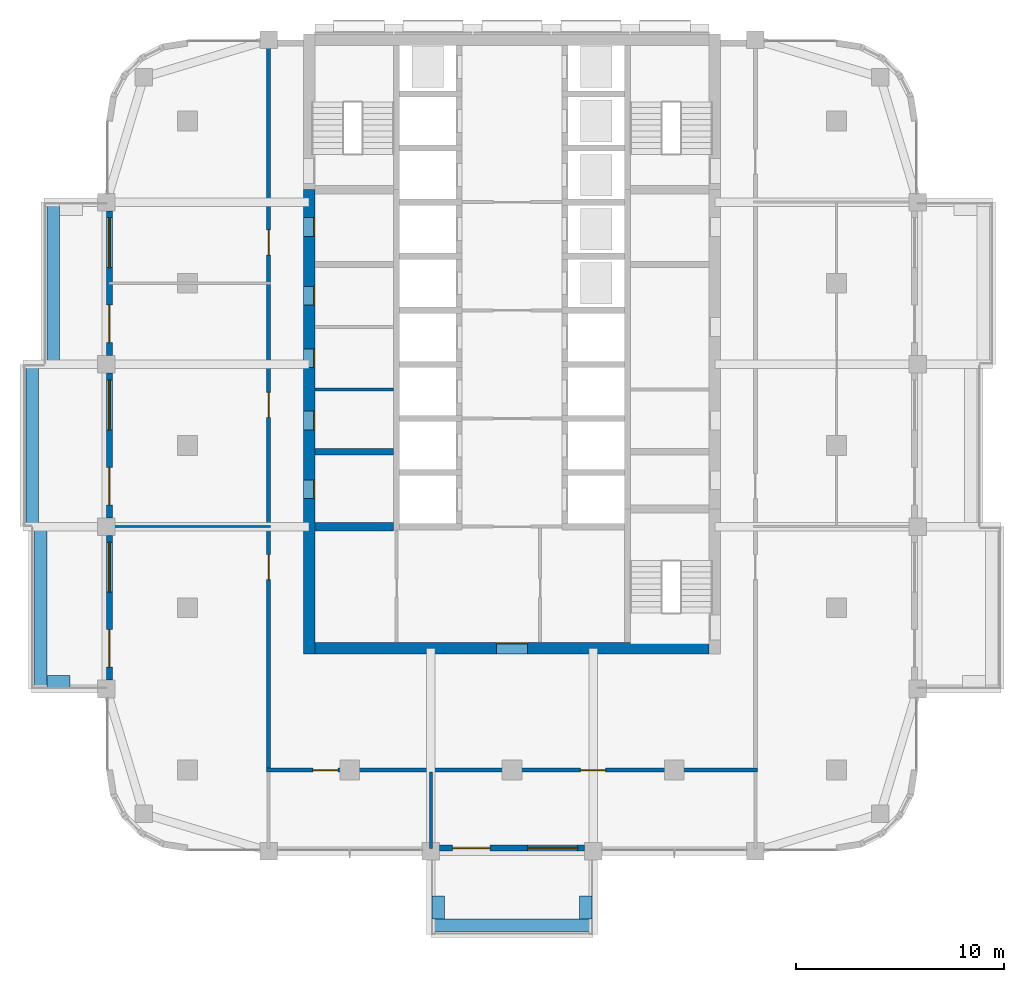
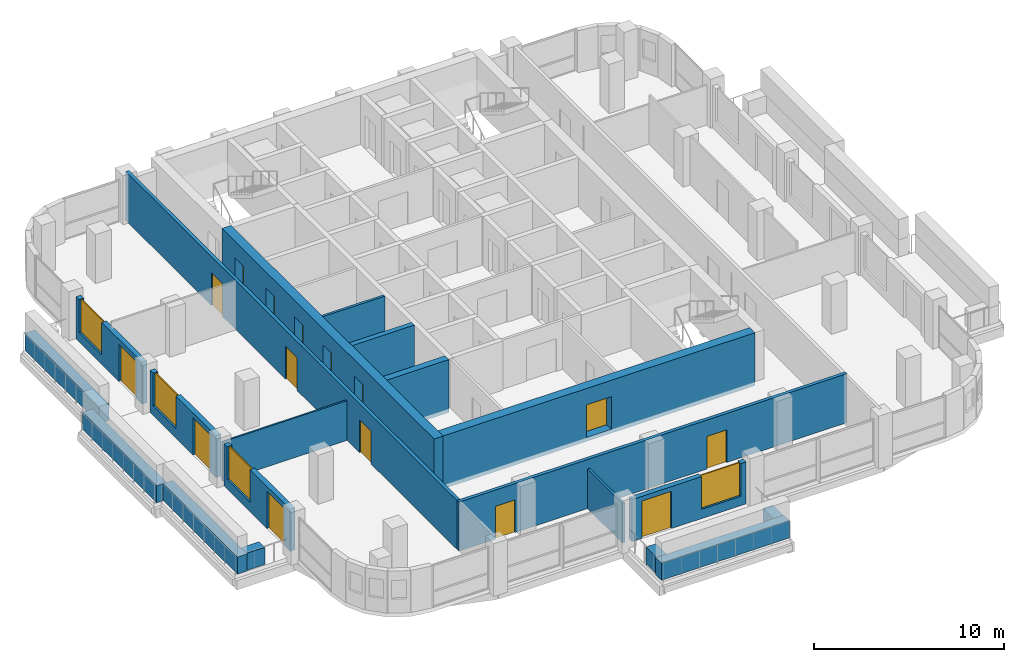
# One storey, part 10 of 19: 20 walls, 15 doors, 4 windows, 19 openings.
"""IFC4 building model written with IfcOpenShell, lengths in metres."""

from ifc_helpers import new_model, si_unit, direction, frame, frame_2d, origin, place, context, subcontext, project, spatial, rectangle, extrude, material, layer, layer_set, type_object, element, fill, save


model = new_model("IFC4")

# Units and contexts
model_context = context("Model", 3, precision=1e-05, world=origin(), true_north=direction((0.0, 1.0)))
body_context = subcontext(model_context, "Body", "Model", "MODEL_VIEW")
ifc_project = project(units=[si_unit("LENGTHUNIT", "METRE"), si_unit("AREAUNIT", "SQUARE_METRE"), si_unit("VOLUMEUNIT", "CUBIC_METRE"), si_unit("PLANEANGLEUNIT", "RADIAN"), si_unit("MASSUNIT", "GRAM", prefix="KILO")], contexts=[model_context])

# Site, building, storey
site_placement = place(None, origin())
site = spatial("IfcSite", under=ifc_project, at=site_placement, CompositionType="ELEMENT")
building_placement = place(site_placement, origin())
building = spatial("IfcBuilding", under=site, at=building_placement, Name="Ludao Terraces", CompositionType="ELEMENT")
storey_placement = place(building_placement, frame((0.0, 0.0, 133.89990234375)))
storey = spatial("IfcBuildingStorey", under=building, at=storey_placement, Name="L36", CompositionType="ELEMENT", Elevation=133.89990234375)

# Wall, openings, doors
ifc_material_1 = material(Name="Concrete C60", Category="concrete")
ifc_layer_1 = layer(ifc_material_1, 0.550048828125)
ifc_layer_set_1 = layer_set([ifc_layer_1], Name="Core wall 550 C60")
wall_type_1 = type_object("IfcWallType", Name="Core wall 550 C60", PredefinedType="SOLIDWALL", material=ifc_layer_set_1)
wall_1_placement = place(storey_placement, frame((75.25, 54.97509765625, -0.25), z_axis=(0.0, 0.0, 1.0), x_axis=(0.0, 1.0, 0.0)))
wall_1 = element("IfcWall", 1, at=wall_1_placement, inside=storey, type_object=wall_type_1, Name="Core wall L36 outer-W", PredefinedType="SOLIDWALL", context=body_context, shape_type="SweptSolid", body=[
    extrude(rectangle(XDim=22.324951171875, YDim=0.550048828125, at=frame_2d((11.16259765625, 0.0))), origin(), (0.0, 0.0, 1.0), 3.400146484375),
])
opening_1_placement = place(wall_1_placement, frame((7.47509765625, 0.0, 0.25)))
opening_1 = element("IfcOpeningElement", 2, at=opening_1_placement, cuts=wall_1, Name="Opening C2-012", PredefinedType="OPENING", context=body_context, shape_type="SweptSolid", body=[
    extrude(rectangle(XDim=0.89990234375, YDim=2.10009765625, at=frame_2d((0.449951171875, 1.050048828125))), frame((0.0, 0.28515625, 0.0), z_axis=(0.0, -1.0, 0.0), x_axis=(1.0, 0.0, 0.0)), (0.0, 0.0, 1.0), 0.570068359375),
])
opening_2_placement = place(wall_1_placement, frame((10.77490234375, 0.0, 0.25)))
opening_2 = element("IfcOpeningElement", 3, at=opening_2_placement, cuts=wall_1, Name="Opening C2-017", PredefinedType="OPENING", context=body_context, shape_type="SweptSolid", body=[
    extrude(rectangle(XDim=0.89990234375, YDim=2.10009765625, at=frame_2d((0.449951171875, 1.050048828125))), frame((0.0, 0.28515625, 0.0), z_axis=(0.0, -1.0, 0.0), x_axis=(1.0, 0.0, 0.0)), (0.0, 0.0, 1.0), 0.570068359375),
])
opening_3_placement = place(wall_1_placement, frame((13.77490234375, 0.0, 0.25)))
opening_3 = element("IfcOpeningElement", 4, at=opening_3_placement, cuts=wall_1, Name="Opening C2-024", PredefinedType="OPENING", context=body_context, shape_type="SweptSolid", body=[
    extrude(rectangle(XDim=0.89990234375, YDim=2.10009765625, at=frame_2d((0.449951171875, 1.050048828125))), frame((0.0, 0.28515625, 0.0), z_axis=(0.0, -1.0, 0.0), x_axis=(1.0, 0.0, 0.0)), (0.0, 0.0, 1.0), 0.570068359375),
])
opening_4_placement = place(wall_1_placement, frame((16.77490234375, 0.0, 0.25)))
opening_4 = element("IfcOpeningElement", 5, at=opening_4_placement, cuts=wall_1, Name="Opening C2-029", PredefinedType="OPENING", context=body_context, shape_type="SweptSolid", body=[
    extrude(rectangle(XDim=0.89990234375, YDim=2.10009765625, at=frame_2d((0.449951171875, 1.050048828125))), frame((0.0, 0.28515625, 0.0), z_axis=(0.0, -1.0, 0.0), x_axis=(1.0, 0.0, 0.0)), (0.0, 0.0, 1.0), 0.570068359375),
])
opening_5_placement = place(wall_1_placement, frame((20.074951171875, 0.0, 0.25)))
opening_5 = element("IfcOpeningElement", 6, at=opening_5_placement, cuts=wall_1, Name="Opening C2-035", PredefinedType="OPENING", context=body_context, shape_type="SweptSolid", body=[
    extrude(rectangle(XDim=0.89990234375, YDim=2.10009765625, at=frame_2d((0.449951171875, 1.050048828125))), frame((0.0, 0.28515625, 0.0), z_axis=(0.0, -1.0, 0.0), x_axis=(1.0, 0.0, 0.0)), (0.0, 0.0, 1.0), 0.570068359375),
])
ifc_material_2 = material(Name="Steel Q235", Category="steel")
door_type_1 = type_object("IfcDoorType", Name="INT Riser door 900", OperationType="SINGLE_SWING_LEFT", PredefinedType="DOOR", material=ifc_material_2)
door_1_placement = place(opening_1_placement, origin())
door_1 = element("IfcDoor", 7, at=door_1_placement, inside=storey, type_object=door_type_1, Name="DOOR 012", OperationType="SINGLE_SWING_RIGHT", OverallHeight=2.10009765625, OverallWidth=0.89990234375, PredefinedType="DOOR", context=body_context, shape_type="SweptSolid", body=[
    extrude(rectangle(XDim=0.89990234375, YDim=2.10009765625, at=frame_2d((0.449951171875, 1.050048828125))), frame((0.0, -0.2099609375, 0.0), z_axis=(0.0, -1.0, 0.0), x_axis=(1.0, 0.0, 0.0)), (0.0, 0.0, 1.0), 0.050048828125),
])
fill(opening_1, door_1)
door_2_placement = place(opening_5_placement, origin())
door_2 = element("IfcDoor", 8, at=door_2_placement, inside=storey, type_object=door_type_1, Name="DOOR 035", OperationType="SINGLE_SWING_RIGHT", OverallHeight=2.10009765625, OverallWidth=0.89990234375, PredefinedType="DOOR", context=body_context, shape_type="SweptSolid", body=[
    extrude(rectangle(XDim=0.89990234375, YDim=2.10009765625, at=frame_2d((0.449951171875, 1.050048828125))), frame((0.0, -0.2099609375, 0.0), z_axis=(0.0, -1.0, 0.0), x_axis=(1.0, 0.0, 0.0)), (0.0, 0.0, 1.0), 0.050048828125),
])
fill(opening_5, door_2)
ifc_material_3 = material(Name="Timber door leaf", Category="wood")
door_type_2 = type_object("IfcDoorType", Name="INT Room door 900", OperationType="SINGLE_SWING_LEFT", PredefinedType="DOOR", material=ifc_material_3)
door_3_placement = place(opening_2_placement, origin())
door_3 = element("IfcDoor", 9, at=door_3_placement, inside=storey, type_object=door_type_2, Name="DOOR 017", OperationType="SINGLE_SWING_RIGHT", OverallHeight=2.10009765625, OverallWidth=0.89990234375, PredefinedType="DOOR", context=body_context, shape_type="SweptSolid", body=[
    extrude(rectangle(XDim=0.89990234375, YDim=2.10009765625, at=frame_2d((0.449951171875, 1.050048828125))), frame((0.0, -0.2099609375, 0.0), z_axis=(0.0, -1.0, 0.0), x_axis=(1.0, 0.0, 0.0)), (0.0, 0.0, 1.0), 0.050048828125),
])
fill(opening_2, door_3)
door_4_placement = place(opening_3_placement, origin())
door_4 = element("IfcDoor", 10, at=door_4_placement, inside=storey, type_object=door_type_2, Name="DOOR 024", OperationType="SINGLE_SWING_RIGHT", OverallHeight=2.10009765625, OverallWidth=0.89990234375, PredefinedType="DOOR", context=body_context, shape_type="SweptSolid", body=[
    extrude(rectangle(XDim=0.89990234375, YDim=2.10009765625, at=frame_2d((0.449951171875, 1.050048828125))), frame((0.0, -0.2099609375, 0.0), z_axis=(0.0, -1.0, 0.0), x_axis=(1.0, 0.0, 0.0)), (0.0, 0.0, 1.0), 0.050048828125),
])
fill(opening_3, door_4)
door_5_placement = place(opening_4_placement, origin())
door_5 = element("IfcDoor", 11, at=door_5_placement, inside=storey, type_object=door_type_2, Name="DOOR 029", OperationType="SINGLE_SWING_LEFT", OverallHeight=2.10009765625, OverallWidth=0.89990234375, PredefinedType="DOOR", context=body_context, shape_type="SweptSolid", body=[
    extrude(rectangle(XDim=0.89990234375, YDim=2.10009765625, at=frame_2d((0.449951171875, 1.050048828125))), frame((0.0, -0.2099609375, 0.0), z_axis=(0.0, -1.0, 0.0), x_axis=(1.0, 0.0, 0.0)), (0.0, 0.0, 1.0), 0.050048828125),
])
fill(opening_4, door_5)

# Wall, opening, door
wall_2_placement = place(storey_placement, frame((75.52490234375, 55.25, -0.25), z_axis=(0.0, 0.0, 1.0), x_axis=(1.0, 0.0, 0.0)))
wall_2 = element("IfcWall", 12, at=wall_2_placement, inside=storey, type_object=wall_type_1, Name="Core wall L36 outer-S", PredefinedType="SOLIDWALL", context=body_context, shape_type="SweptSolid", body=[
    extrude(rectangle(XDim=18.9501953125, YDim=0.550048828125, at=frame_2d((9.47509765625, 0.0))), origin(), (0.0, 0.0, 1.0), 3.400146484375),
])
opening_6_placement = place(wall_2_placement, frame((8.72509765625, 0.0, 0.25)))
opening_6 = element("IfcOpeningElement", 13, at=opening_6_placement, cuts=wall_2, Name="Opening C2-003", PredefinedType="OPENING", context=body_context, shape_type="SweptSolid", body=[
    extrude(rectangle(XDim=1.5, YDim=2.10009765625, at=frame_2d((0.75, 1.050048828125))), frame((0.0, 0.28515625, 0.0), z_axis=(0.0, -1.0, 0.0), x_axis=(1.0, 0.0, 0.0)), (0.0, 0.0, 1.0), 0.570068359375),
])
door_type_3 = type_object("IfcDoorType", Name="INT Lobby door 1500", OperationType="DOUBLE_DOOR_SINGLE_SWING", PredefinedType="DOOR", material=ifc_material_2)
door_6_placement = place(opening_6_placement, origin())
door_6 = element("IfcDoor", 14, at=door_6_placement, inside=storey, type_object=door_type_3, Name="DOOR 003", OperationType="DOUBLE_DOOR_SINGLE_SWING", OverallHeight=2.10009765625, OverallWidth=1.5, PredefinedType="DOOR", context=body_context, shape_type="SweptSolid", body=[
    extrude(rectangle(XDim=1.5, YDim=2.10009765625, at=frame_2d((0.75, 1.050048828125))), frame((0.0, 0.26025390625, 0.0), z_axis=(0.0, -1.0, 0.0), x_axis=(1.0, 0.0, 0.0)), (0.0, 0.0, 1.0), 0.050048828125),
])
fill(opening_6, door_6)

# Walls
ifc_material_4 = material(Name="Concrete C40", Category="concrete")
ifc_layer_2 = layer(ifc_material_4, 0.60009765625)
ifc_layer_set_2 = layer_set([ifc_layer_2], Name="ENV Planter trough 600")
wall_type_2 = type_object("IfcWallType", Name="ENV Planter trough 600", PredefinedType="USERDEFINED", material=ifc_layer_set_2)
wall_3_placement = place(storey_placement, frame((81.10009765625, 41.949951171875, 0.0), z_axis=(0.0, 0.0, 1.0), x_axis=(1.0, 0.0, 0.0)))
element("IfcWall", 15, at=wall_3_placement, inside=storey, type_object=wall_type_2, Name="PL-L36-S1", ObjectType="PLANTER", PredefinedType="USERDEFINED", context=body_context, shape_type="SweptSolid", body=[
    extrude(rectangle(XDim=7.7998046875, YDim=0.60009765625, at=frame_2d((3.89990234375, 0.0))), origin(), (0.0, 0.0, 1.0), 1.10009765625),
])
for number, where, z_axis, x_axis, name in (
    (16, (81.449951171875, 42.25, 0.0), (0.0, 0.0, 1.0), (0.0, 1.0, 0.0), "PL-L36-S1-SA"),
    (17, (88.550048828125, 42.25, 0.0), (0.0, 0.0, 1.0), (0.0, 1.0, 0.0), "PL-L36-S1-SB"),
):
    element("IfcWall", number, at=place(storey_placement, frame(where, z_axis=z_axis, x_axis=x_axis)), inside=storey, type_object=wall_type_2, Name=name, ObjectType="PLANTER", PredefinedType="USERDEFINED", context=body_context, shape_type="SweptSolid", body=[
        extrude(rectangle(XDim=1.10009765625, YDim=0.60009765625, at=frame_2d((0.550048828125, 0.0))), origin(), (0.0, 0.0, 1.0), 1.10009765625),
    ])
wall_4_placement = place(storey_placement, frame((62.35009765625, 53.300048828125, 0.0), z_axis=(0.0, 0.0, 1.0), x_axis=(0.0, 1.0, 0.0)))
element("IfcWall", 18, at=wall_4_placement, inside=storey, type_object=wall_type_2, Name="PL-L36-W1", ObjectType="PLANTER", PredefinedType="USERDEFINED", context=body_context, shape_type="SweptSolid", body=[
    extrude(rectangle(XDim=7.800048828125, YDim=0.60009765625, at=frame_2d((3.89990234375, 0.0))), origin(), (0.0, 0.0, 1.0), 1.10009765625),
])
wall_5_placement = place(storey_placement, frame((62.64990234375, 53.64990234375, 0.0), z_axis=(0.0, 0.0, 1.0), x_axis=(1.0, 0.0, 0.0)))
element("IfcWall", 19, at=wall_5_placement, inside=storey, type_object=wall_type_2, Name="PL-L36-W1-SA", ObjectType="PLANTER", PredefinedType="USERDEFINED", context=body_context, shape_type="SweptSolid", body=[
    extrude(rectangle(XDim=1.10009765625, YDim=0.60009765625, at=frame_2d((0.550048828125, 0.0))), origin(), (0.0, 0.0, 1.0), 1.10009765625),
])
wall_6_placement = place(storey_placement, frame((61.949951171875, 61.10009765625, 0.0), z_axis=(0.0, 0.0, 1.0), x_axis=(0.0, 1.0, 0.0)))
element("IfcWall", 20, at=wall_6_placement, inside=storey, type_object=wall_type_2, Name="PL-L36-W2", ObjectType="PLANTER", PredefinedType="USERDEFINED", context=body_context, shape_type="SweptSolid", body=[
    extrude(rectangle(XDim=7.7998046875, YDim=0.60009765625, at=frame_2d((3.89990234375, 0.0))), origin(), (0.0, 0.0, 1.0), 1.10009765625),
])
wall_7_placement = place(storey_placement, frame((62.949951171875, 68.89990234375, 0.0), z_axis=(0.0, 0.0, 1.0), x_axis=(0.0, 1.0, 0.0)))
element("IfcWall", 21, at=wall_7_placement, inside=storey, type_object=wall_type_2, Name="PL-L36-W3", ObjectType="PLANTER", PredefinedType="USERDEFINED", context=body_context, shape_type="SweptSolid", body=[
    extrude(rectangle(XDim=7.800048828125, YDim=0.60009765625, at=frame_2d((3.89990234375, 0.0))), origin(), (0.0, 0.0, 1.0), 1.10009765625),
])

# Wall, openings, door, window
ifc_material_5 = material(Name="Granite cladding", Category="masonry")
ifc_layer_3 = layer(ifc_material_5, 0.0400390625, Category="stone")
ifc_material_6 = material(Name="Mineral wool")
ifc_layer_4 = layer(ifc_material_6, 0.06005859375)
ifc_layer_5 = layer(ifc_material_4, 0.199951171875, Category="concrete")
ifc_layer_set_3 = layer_set([ifc_layer_3, ifc_layer_4, ifc_layer_5], Name="ENV Stone-clad wall 300")
wall_type_3 = type_object("IfcWallType", Name="ENV Stone-clad wall 300", PredefinedType="SOLIDWALL", material=ifc_layer_set_3)
wall_8_placement = place(storey_placement, frame((81.52490234375, 45.64990234375, 0.0), z_axis=(0.0, 0.0, 1.0), x_axis=(1.0, 0.0, 0.0)))
wall_8 = element("IfcWall", 22, at=wall_8_placement, inside=storey, type_object=wall_type_3, Name="EW-L36-S3", PredefinedType="SOLIDWALL", context=body_context, shape_type="SweptSolid", body=[
    extrude(rectangle(XDim=6.9501953125, YDim=0.300048828125, at=frame_2d((3.47509765625, 0.0))), origin(), (0.0, 0.0, 1.0), 2.7001953125),
])
opening_7_placement = place(wall_8_placement, frame((0.625, 0.0, 0.0)))
opening_7 = element("IfcOpeningElement", 23, at=opening_7_placement, cuts=wall_8, Name="Opening BD", PredefinedType="OPENING", context=body_context, shape_type="SweptSolid", body=[
    extrude(rectangle(XDim=1.800048828125, YDim=2.39990234375, at=frame_2d((0.89990234375, 1.199951171875))), frame((0.0, 0.16015625, 0.0), z_axis=(0.0, -1.0, 0.0), x_axis=(1.0, 0.0, 0.0)), (0.0, 0.0, 1.0), 0.320068359375),
])
opening_8_placement = place(wall_8_placement, frame((4.22509765625, 0.0, 0.60009765625)))
opening_8 = element("IfcOpeningElement", 24, at=opening_8_placement, cuts=wall_8, Name="Opening W4", PredefinedType="OPENING", context=body_context, shape_type="SweptSolid", body=[
    extrude(rectangle(XDim=2.39990234375, YDim=2.10009765625, at=frame_2d((1.199951171875, 1.050048828125))), frame((0.0, 0.16015625, 0.0), z_axis=(0.0, -1.0, 0.0), x_axis=(1.0, 0.0, 0.0)), (0.0, 0.0, 1.0), 0.320068359375),
])
ifc_material_7 = material(Name="Aluminium glazed door", Category="aluminium")
ifc_layer_6 = layer(ifc_material_7, 0.06005859375)
ifc_layer_set_4 = layer_set([ifc_layer_6], Name="ENV Balcony door BD 1800x2400")
door_type_4 = type_object("IfcDoorType", Name="ENV Balcony door BD 1800x2400", OperationType="DOUBLE_DOOR_SINGLE_SWING", PredefinedType="DOOR", material=ifc_layer_set_4)
door_7_placement = place(opening_7_placement, origin())
door_7 = element("IfcDoor", 25, at=door_7_placement, inside=storey, type_object=door_type_4, Name="BD-L36-S3-1", OperationType="DOUBLE_DOOR_SINGLE_SWING", OverallHeight=2.39990234375, OverallWidth=1.800048828125, PredefinedType="DOOR", context=body_context, shape_type="SweptSolid", body=[
    extrude(rectangle(XDim=1.800048828125, YDim=2.39990234375, at=frame_2d((0.89990234375, 1.199951171875))), frame((0.0, 0.02490234375, 0.0), z_axis=(0.0, -1.0, 0.0), x_axis=(1.0, 0.0, 0.0)), (0.0, 0.0, 1.0), 0.050048828125),
])
fill(opening_7, door_7)
ifc_material_8 = material(Name="Clear glass in aluminium frame", Category="aluminium")
ifc_layer_7 = layer(ifc_material_8, 0.06005859375)
ifc_layer_set_5 = layer_set([ifc_layer_7], Name="ENV Window W4 2400x2100")
window_type = type_object("IfcWindowType", Name="ENV Window W4 2400x2100", PartitioningType="SINGLE_PANEL", PredefinedType="WINDOW", material=ifc_layer_set_5)
window_1_placement = place(opening_8_placement, origin())
window_1 = element("IfcWindow", 26, at=window_1_placement, inside=storey, type_object=window_type, Name="W-L36-S3-2", OverallHeight=2.10009765625, OverallWidth=2.39990234375, PartitioningType="SINGLE_PANEL", PredefinedType="WINDOW", context=body_context, shape_type="SweptSolid", body=[
    extrude(rectangle(XDim=2.39990234375, YDim=2.10009765625, at=frame_2d((1.199951171875, 1.050048828125))), frame((0.0, 0.030029296875, 0.0), z_axis=(0.0, -1.0, 0.0), x_axis=(1.0, 0.0, 0.0)), (0.0, 0.0, 1.0), 0.06005859375),
])
fill(opening_8, window_1)

wall_9_placement = place(storey_placement, frame((65.64990234375, 53.72509765625, 0.0), z_axis=(0.0, 0.0, 1.0), x_axis=(0.0, 1.0, 0.0)))
wall_9 = element("IfcWall", 27, at=wall_9_placement, inside=storey, type_object=wall_type_3, Name="EW-L36-W2", PredefinedType="SOLIDWALL", context=body_context, shape_type="SweptSolid", body=[
    extrude(rectangle(XDim=6.949951171875, YDim=0.300048828125, at=frame_2d((3.47509765625, 0.0))), origin(), (0.0, 0.0, 1.0), 2.7001953125),
])
opening_9_placement = place(wall_9_placement, frame((0.625, 0.0, 0.0)))
opening_9 = element("IfcOpeningElement", 28, at=opening_9_placement, cuts=wall_9, Name="Opening BD", PredefinedType="OPENING", context=body_context, shape_type="SweptSolid", body=[
    extrude(rectangle(XDim=1.800048828125, YDim=2.39990234375, at=frame_2d((0.89990234375, 1.199951171875))), frame((0.0, 0.16015625, 0.0), z_axis=(0.0, -1.0, 0.0), x_axis=(1.0, 0.0, 0.0)), (0.0, 0.0, 1.0), 0.320068359375),
])
opening_10_placement = place(wall_9_placement, frame((4.22509765625, 0.0, 0.60009765625)))
opening_10 = element("IfcOpeningElement", 29, at=opening_10_placement, cuts=wall_9, Name="Opening W4", PredefinedType="OPENING", context=body_context, shape_type="SweptSolid", body=[
    extrude(rectangle(XDim=2.39990234375, YDim=2.10009765625, at=frame_2d((1.199951171875, 1.050048828125))), frame((0.0, 0.16015625, 0.0), z_axis=(0.0, -1.0, 0.0), x_axis=(1.0, 0.0, 0.0)), (0.0, 0.0, 1.0), 0.320068359375),
])
door_8_placement = place(opening_9_placement, origin())
door_8 = element("IfcDoor", 30, at=door_8_placement, inside=storey, type_object=door_type_4, Name="BD-L36-W2-1", OperationType="DOUBLE_DOOR_SINGLE_SWING", OverallHeight=2.39990234375, OverallWidth=1.800048828125, PredefinedType="DOOR", context=body_context, shape_type="SweptSolid", body=[
    extrude(rectangle(XDim=1.800048828125, YDim=2.39990234375, at=frame_2d((0.89990234375, 1.199951171875))), frame((0.0, 0.02490234375, 0.0), z_axis=(0.0, -1.0, 0.0), x_axis=(1.0, 0.0, 0.0)), (0.0, 0.0, 1.0), 0.050048828125),
])
fill(opening_9, door_8)
window_2_placement = place(opening_10_placement, origin())
window_2 = element("IfcWindow", 31, at=window_2_placement, inside=storey, type_object=window_type, Name="W-L36-W2-2", OverallHeight=2.10009765625, OverallWidth=2.39990234375, PartitioningType="SINGLE_PANEL", PredefinedType="WINDOW", context=body_context, shape_type="SweptSolid", body=[
    extrude(rectangle(XDim=2.39990234375, YDim=2.10009765625, at=frame_2d((1.199951171875, 1.050048828125))), frame((0.0, 0.030029296875, 0.0), z_axis=(0.0, -1.0, 0.0), x_axis=(1.0, 0.0, 0.0)), (0.0, 0.0, 1.0), 0.06005859375),
])
fill(opening_10, window_2)

wall_10_placement = place(storey_placement, frame((65.64990234375, 61.52490234375, 0.0), z_axis=(0.0, 0.0, 1.0), x_axis=(0.0, 1.0, 0.0)))
wall_10 = element("IfcWall", 32, at=wall_10_placement, inside=storey, type_object=wall_type_3, Name="EW-L36-W3", PredefinedType="SOLIDWALL", context=body_context, shape_type="SweptSolid", body=[
    extrude(rectangle(XDim=6.9501953125, YDim=0.300048828125, at=frame_2d((3.47509765625, 0.0))), origin(), (0.0, 0.0, 1.0), 2.7001953125),
])
opening_11_placement = place(wall_10_placement, frame((0.625, 0.0, 0.0)))
opening_11 = element("IfcOpeningElement", 33, at=opening_11_placement, cuts=wall_10, Name="Opening BD", PredefinedType="OPENING", context=body_context, shape_type="SweptSolid", body=[
    extrude(rectangle(XDim=1.800048828125, YDim=2.39990234375, at=frame_2d((0.89990234375, 1.199951171875))), frame((0.0, 0.16015625, 0.0), z_axis=(0.0, -1.0, 0.0), x_axis=(1.0, 0.0, 0.0)), (0.0, 0.0, 1.0), 0.320068359375),
])
opening_12_placement = place(wall_10_placement, frame((4.22509765625, 0.0, 0.60009765625)))
opening_12 = element("IfcOpeningElement", 34, at=opening_12_placement, cuts=wall_10, Name="Opening W4", PredefinedType="OPENING", context=body_context, shape_type="SweptSolid", body=[
    extrude(rectangle(XDim=2.39990234375, YDim=2.10009765625, at=frame_2d((1.199951171875, 1.050048828125))), frame((0.0, 0.16015625, 0.0), z_axis=(0.0, -1.0, 0.0), x_axis=(1.0, 0.0, 0.0)), (0.0, 0.0, 1.0), 0.320068359375),
])
door_9_placement = place(opening_11_placement, origin())
door_9 = element("IfcDoor", 35, at=door_9_placement, inside=storey, type_object=door_type_4, Name="BD-L36-W3-1", OperationType="DOUBLE_DOOR_SINGLE_SWING", OverallHeight=2.39990234375, OverallWidth=1.800048828125, PredefinedType="DOOR", context=body_context, shape_type="SweptSolid", body=[
    extrude(rectangle(XDim=1.800048828125, YDim=2.39990234375, at=frame_2d((0.89990234375, 1.199951171875))), frame((0.0, 0.02490234375, 0.0), z_axis=(0.0, -1.0, 0.0), x_axis=(1.0, 0.0, 0.0)), (0.0, 0.0, 1.0), 0.050048828125),
])
fill(opening_11, door_9)
window_3_placement = place(opening_12_placement, origin())
window_3 = element("IfcWindow", 36, at=window_3_placement, inside=storey, type_object=window_type, Name="W-L36-W3-2", OverallHeight=2.10009765625, OverallWidth=2.39990234375, PartitioningType="SINGLE_PANEL", PredefinedType="WINDOW", context=body_context, shape_type="SweptSolid", body=[
    extrude(rectangle(XDim=2.39990234375, YDim=2.10009765625, at=frame_2d((1.199951171875, 1.050048828125))), frame((0.0, 0.030029296875, 0.0), z_axis=(0.0, -1.0, 0.0), x_axis=(1.0, 0.0, 0.0)), (0.0, 0.0, 1.0), 0.06005859375),
])
fill(opening_12, window_3)

wall_11_placement = place(storey_placement, frame((65.64990234375, 69.324951171875, 0.0), z_axis=(0.0, 0.0, 1.0), x_axis=(0.0, 1.0, 0.0)))
wall_11 = element("IfcWall", 37, at=wall_11_placement, inside=storey, type_object=wall_type_3, Name="EW-L36-W4", PredefinedType="SOLIDWALL", context=body_context, shape_type="SweptSolid", body=[
    extrude(rectangle(XDim=6.949951171875, YDim=0.300048828125, at=frame_2d((3.47509765625, 0.0))), origin(), (0.0, 0.0, 1.0), 2.7001953125),
])
opening_13_placement = place(wall_11_placement, frame((0.625, 0.0, 0.0)))
opening_13 = element("IfcOpeningElement", 38, at=opening_13_placement, cuts=wall_11, Name="Opening BD", PredefinedType="OPENING", context=body_context, shape_type="SweptSolid", body=[
    extrude(rectangle(XDim=1.800048828125, YDim=2.39990234375, at=frame_2d((0.89990234375, 1.199951171875))), frame((0.0, 0.16015625, 0.0), z_axis=(0.0, -1.0, 0.0), x_axis=(1.0, 0.0, 0.0)), (0.0, 0.0, 1.0), 0.320068359375),
])
opening_14_placement = place(wall_11_placement, frame((4.22509765625, 0.0, 0.60009765625)))
opening_14 = element("IfcOpeningElement", 39, at=opening_14_placement, cuts=wall_11, Name="Opening W4", PredefinedType="OPENING", context=body_context, shape_type="SweptSolid", body=[
    extrude(rectangle(XDim=2.39990234375, YDim=2.10009765625, at=frame_2d((1.199951171875, 1.050048828125))), frame((0.0, 0.16015625, 0.0), z_axis=(0.0, -1.0, 0.0), x_axis=(1.0, 0.0, 0.0)), (0.0, 0.0, 1.0), 0.320068359375),
])
door_10_placement = place(opening_13_placement, origin())
door_10 = element("IfcDoor", 40, at=door_10_placement, inside=storey, type_object=door_type_4, Name="BD-L36-W4-1", OperationType="DOUBLE_DOOR_SINGLE_SWING", OverallHeight=2.39990234375, OverallWidth=1.800048828125, PredefinedType="DOOR", context=body_context, shape_type="SweptSolid", body=[
    extrude(rectangle(XDim=1.800048828125, YDim=2.39990234375, at=frame_2d((0.89990234375, 1.199951171875))), frame((0.0, 0.02490234375, 0.0), z_axis=(0.0, -1.0, 0.0), x_axis=(1.0, 0.0, 0.0)), (0.0, 0.0, 1.0), 0.050048828125),
])
fill(opening_13, door_10)
window_4_placement = place(opening_14_placement, origin())
window_4 = element("IfcWindow", 41, at=window_4_placement, inside=storey, type_object=window_type, Name="W-L36-W4-2", OverallHeight=2.10009765625, OverallWidth=2.39990234375, PartitioningType="SINGLE_PANEL", PredefinedType="WINDOW", context=body_context, shape_type="SweptSolid", body=[
    extrude(rectangle(XDim=2.39990234375, YDim=2.10009765625, at=frame_2d((1.199951171875, 1.050048828125))), frame((0.0, 0.030029296875, 0.0), z_axis=(0.0, -1.0, 0.0), x_axis=(1.0, 0.0, 0.0)), (0.0, 0.0, 1.0), 0.06005859375),
])
fill(opening_14, window_4)

# Wall
ifc_material_9 = material(Name="Fire-rated gypsum plasterboard", Category="gypsum")
ifc_layer_8 = layer(ifc_material_9, 0.012451171875, Category="gypsum")
ifc_layer_9 = layer(ifc_material_6, 0.10009765625, Name="insulation")
ifc_layer_10 = layer(ifc_material_2, 0.02490234375, Name="stud")
ifc_layer_11 = layer(ifc_material_9, 0.012451171875, Category="gypsum")
ifc_layer_set_6 = layer_set([ifc_layer_8, ifc_layer_9, ifc_layer_10, ifc_layer_11], Name="INT Core partition 150")
wall_type_4 = type_object("IfcWallType", Name="INT Core partition 150", PredefinedType="PARTITIONING", material=ifc_layer_set_6)
wall_12_placement = place(storey_placement, frame((75.525146484375, 67.699951171875, 0.0), z_axis=(0.0, 0.0, 1.0), x_axis=(1.0, 0.0, 0.0)))
element("IfcWall", 42, at=wall_12_placement, inside=storey, type_object=wall_type_4, Name="PW-L36-PW005", PredefinedType="PARTITIONING", context=body_context, shape_type="SweptSolid", body=[
    extrude(rectangle(XDim=3.77490234375, YDim=0.14990234375, at=frame_2d((1.887451171875, 0.0))), origin(), (0.0, 0.0, 1.0), 3.150146484375),
])

# Wall, openings, doors
ifc_material_10 = material(Name="Autoclaved aerated concrete block B06 A3.5", Category="concrete")
ifc_layer_12 = layer(ifc_material_10, 0.199951171875)
ifc_layer_set_7 = layer_set([ifc_layer_12], Name="INT Entrance wall 200")
wall_type_5 = type_object("IfcWallType", Name="INT Entrance wall 200", PredefinedType="PARTITIONING", material=ifc_layer_set_7)
wall_13_placement = place(storey_placement, frame((73.2001953125, 49.39990234375, 0.0), z_axis=(0.0, 0.0, 1.0), x_axis=(1.0, 0.0, 0.0)))
wall_13 = element("IfcWall", 43, at=wall_13_placement, inside=storey, type_object=wall_type_5, Name="PW-L36-PW000", PredefinedType="PARTITIONING", context=body_context, shape_type="SweptSolid", body=[
    extrude(rectangle(XDim=23.599853515625, YDim=0.199951171875, at=frame_2d((11.7998046875, 0.0))), origin(), (0.0, 0.0, 1.0), 3.150146484375),
])
opening_15_placement = place(wall_13_placement, frame((2.224853515625, 0.0, 0.0)))
opening_15 = element("IfcOpeningElement", 44, at=opening_15_placement, cuts=wall_13, Name="Opening C2-001", PredefinedType="OPENING", context=body_context, shape_type="SweptSolid", body=[
    extrude(rectangle(XDim=1.199951171875, YDim=2.10009765625, at=frame_2d((0.60009765625, 1.050048828125))), frame((0.0, 0.10986328125, 0.0), z_axis=(0.0, -1.0, 0.0), x_axis=(1.0, 0.0, 0.0)), (0.0, 0.0, 1.0), 0.219970703125),
])
opening_16_placement = place(wall_13_placement, frame((15.099853515625, 0.0, 0.0)))
opening_16 = element("IfcOpeningElement", 45, at=opening_16_placement, cuts=wall_13, Name="Opening C2-002", PredefinedType="OPENING", context=body_context, shape_type="SweptSolid", body=[
    extrude(rectangle(XDim=1.199951171875, YDim=2.10009765625, at=frame_2d((0.60009765625, 1.050048828125))), frame((0.0, 0.10986328125, 0.0), z_axis=(0.0, -1.0, 0.0), x_axis=(1.0, 0.0, 0.0)), (0.0, 0.0, 1.0), 0.219970703125),
])
door_type_5 = type_object("IfcDoorType", Name="INT Double door 1200", OperationType="DOUBLE_DOOR_SINGLE_SWING", PredefinedType="DOOR", material=ifc_material_3)
door_11_placement = place(opening_15_placement, origin())
door_11 = element("IfcDoor", 46, at=door_11_placement, inside=storey, type_object=door_type_5, Name="DOOR 001", OperationType="DOUBLE_DOOR_SINGLE_SWING", OverallHeight=2.10009765625, OverallWidth=1.199951171875, PredefinedType="DOOR", context=body_context, shape_type="SweptSolid", body=[
    extrude(rectangle(XDim=1.199951171875, YDim=2.10009765625, at=frame_2d((0.60009765625, 1.050048828125))), frame((0.0, 0.02490234375, 0.0), z_axis=(0.0, -1.0, 0.0), x_axis=(1.0, 0.0, 0.0)), (0.0, 0.0, 1.0), 0.050048828125),
])
fill(opening_15, door_11)
door_12_placement = place(opening_16_placement, origin())
door_12 = element("IfcDoor", 47, at=door_12_placement, inside=storey, type_object=door_type_5, Name="DOOR 002", OperationType="DOUBLE_DOOR_SINGLE_SWING", OverallHeight=2.10009765625, OverallWidth=1.199951171875, PredefinedType="DOOR", context=body_context, shape_type="SweptSolid", body=[
    extrude(rectangle(XDim=1.199951171875, YDim=2.10009765625, at=frame_2d((0.60009765625, 1.050048828125))), frame((0.0, 0.02490234375, 0.0), z_axis=(0.0, -1.0, 0.0), x_axis=(1.0, 0.0, 0.0)), (0.0, 0.0, 1.0), 0.050048828125),
])
fill(opening_16, door_12)

wall_14_placement = place(storey_placement, frame((73.300048828125, 49.5, 0.0), z_axis=(0.0, 0.0, 1.0), x_axis=(0.0, 1.0, 0.0)))
wall_14 = element("IfcWall", 48, at=wall_14_placement, inside=storey, type_object=wall_type_5, Name="PW-L36-PW013", PredefinedType="PARTITIONING", context=body_context, shape_type="SweptSolid", body=[
    extrude(rectangle(XDim=34.864990234375, YDim=0.199951171875, at=frame_2d((17.4326171875, 0.0))), origin(), (0.0, 0.0, 1.0), 3.150146484375),
])
opening_17_placement = place(wall_14_placement, frame((9.050048828125, 0.0, 0.0)))
opening_17 = element("IfcOpeningElement", 49, at=opening_17_placement, cuts=wall_14, Name="Opening C2-007", PredefinedType="OPENING", context=body_context, shape_type="SweptSolid", body=[
    extrude(rectangle(XDim=1.199951171875, YDim=2.10009765625, at=frame_2d((0.60009765625, 1.050048828125))), frame((0.0, 0.10986328125, 0.0), z_axis=(0.0, -1.0, 0.0), x_axis=(1.0, 0.0, 0.0)), (0.0, 0.0, 1.0), 0.219970703125),
])
opening_18_placement = place(wall_14_placement, frame((16.85009765625, 0.0, 0.0)))
opening_18 = element("IfcOpeningElement", 50, at=opening_18_placement, cuts=wall_14, Name="Opening C2-020", PredefinedType="OPENING", context=body_context, shape_type="SweptSolid", body=[
    extrude(rectangle(XDim=1.199951171875, YDim=2.10009765625, at=frame_2d((0.60009765625, 1.050048828125))), frame((0.0, 0.10986328125, 0.0), z_axis=(0.0, -1.0, 0.0), x_axis=(1.0, 0.0, 0.0)), (0.0, 0.0, 1.0), 0.219970703125),
])
opening_19_placement = place(wall_14_placement, frame((24.650146484375, 0.0, 0.0)))
opening_19 = element("IfcOpeningElement", 51, at=opening_19_placement, cuts=wall_14, Name="Opening C2-032", PredefinedType="OPENING", context=body_context, shape_type="SweptSolid", body=[
    extrude(rectangle(XDim=1.199951171875, YDim=2.10009765625, at=frame_2d((0.60009765625, 1.050048828125))), frame((0.0, 0.10986328125, 0.0), z_axis=(0.0, -1.0, 0.0), x_axis=(1.0, 0.0, 0.0)), (0.0, 0.0, 1.0), 0.219970703125),
])
door_13_placement = place(opening_17_placement, origin())
door_13 = element("IfcDoor", 52, at=door_13_placement, inside=storey, type_object=door_type_5, Name="DOOR 007", OperationType="DOUBLE_DOOR_SINGLE_SWING", OverallHeight=2.10009765625, OverallWidth=1.199951171875, PredefinedType="DOOR", context=body_context, shape_type="SweptSolid", body=[
    extrude(rectangle(XDim=1.199951171875, YDim=2.10009765625, at=frame_2d((0.60009765625, 1.050048828125))), frame((0.0, 0.02490234375, 0.0), z_axis=(0.0, -1.0, 0.0), x_axis=(1.0, 0.0, 0.0)), (0.0, 0.0, 1.0), 0.050048828125),
])
fill(opening_17, door_13)
door_14_placement = place(opening_18_placement, origin())
door_14 = element("IfcDoor", 53, at=door_14_placement, inside=storey, type_object=door_type_5, Name="DOOR 020", OperationType="DOUBLE_DOOR_SINGLE_SWING", OverallHeight=2.10009765625, OverallWidth=1.199951171875, PredefinedType="DOOR", context=body_context, shape_type="SweptSolid", body=[
    extrude(rectangle(XDim=1.199951171875, YDim=2.10009765625, at=frame_2d((0.60009765625, 1.050048828125))), frame((0.0, 0.02490234375, 0.0), z_axis=(0.0, -1.0, 0.0), x_axis=(1.0, 0.0, 0.0)), (0.0, 0.0, 1.0), 0.050048828125),
])
fill(opening_18, door_14)
door_15_placement = place(opening_19_placement, origin())
door_15 = element("IfcDoor", 54, at=door_15_placement, inside=storey, type_object=door_type_5, Name="DOOR 032", OperationType="DOUBLE_DOOR_SINGLE_SWING", OverallHeight=2.10009765625, OverallWidth=1.199951171875, PredefinedType="DOOR", context=body_context, shape_type="SweptSolid", body=[
    extrude(rectangle(XDim=1.199951171875, YDim=2.10009765625, at=frame_2d((0.60009765625, 1.050048828125))), frame((0.0, 0.02490234375, 0.0), z_axis=(0.0, -1.0, 0.0), x_axis=(1.0, 0.0, 0.0)), (0.0, 0.0, 1.0), 0.050048828125),
])
fill(opening_19, door_15)

# Walls
ifc_material_11 = material(Name="Gypsum plasterboard", Category="gypsum")
ifc_layer_13 = layer(ifc_material_11, 0.012451171875, Category="gypsum")
ifc_layer_14 = layer(ifc_material_6, 0.06005859375, Name="insulation")
ifc_layer_15 = layer(ifc_material_2, 0.014892578125, Name="stud")
ifc_layer_16 = layer(ifc_material_11, 0.012451171875, Category="gypsum")
ifc_layer_set_8 = layer_set([ifc_layer_13, ifc_layer_14, ifc_layer_15, ifc_layer_16], Name="INT Partition 100")
wall_type_6 = type_object("IfcWallType", Name="INT Partition 100", PredefinedType="PARTITIONING", material=ifc_layer_set_8)
wall_15_placement = place(storey_placement, frame((65.635009765625, 61.10009765625, 0.0), z_axis=(0.0, 0.0, 1.0), x_axis=(1.0, 0.0, 0.0)))
element("IfcWall", 55, at=wall_15_placement, inside=storey, type_object=wall_type_6, Name="PW-L36-PW001", PredefinedType="PARTITIONING", context=body_context, shape_type="SweptSolid", body=[
    extrude(rectangle(XDim=7.76513671875, YDim=0.10009765625, at=frame_2d((3.882568359375, 0.0))), origin(), (0.0, 0.0, 1.0), 2.550048828125),
])
ifc_layer_17 = layer(ifc_material_10, 0.14990234375)
ifc_layer_set_9 = layer_set([ifc_layer_17], Name="INT Party wall 150")
wall_type_7 = type_object("IfcWallType", Name="INT Party wall 150", PredefinedType="PARTITIONING", material=ifc_layer_set_9)
wall_16_placement = place(storey_placement, frame((81.10009765625, 45.635009765625, 0.0), z_axis=(0.0, 0.0, 1.0), x_axis=(0.0, 1.0, 0.0)))
element("IfcWall", 56, at=wall_16_placement, inside=storey, type_object=wall_type_7, Name="PW-L36-PW015", PredefinedType="PARTITIONING", context=body_context, shape_type="SweptSolid", body=[
    extrude(rectangle(XDim=3.6650390625, YDim=0.14990234375, at=frame_2d((1.83251953125, 0.0))), origin(), (0.0, 0.0, 1.0), 2.550048828125),
])
ifc_material_12 = material(Name="Concrete C55", Category="concrete")
ifc_layer_18 = layer(ifc_material_12, 0.300048828125)
ifc_layer_set_10 = layer_set([ifc_layer_18], Name="Shaft wall 300 C55")
wall_type_8 = type_object("IfcWallType", Name="Shaft wall 300 C55", PredefinedType="SOLIDWALL", material=ifc_layer_set_10)
wall_17_placement = place(storey_placement, frame((75.52490234375, 64.699951171875, -0.25), z_axis=(0.0, 0.0, 1.0), x_axis=(1.0, 0.0, 0.0)))
element("IfcWall", 57, at=wall_17_placement, inside=storey, type_object=wall_type_8, Name="Core wall L36 riser-a-W", PredefinedType="SOLIDWALL", context=body_context, shape_type="SweptSolid", body=[
    extrude(rectangle(XDim=3.775146484375, YDim=0.300048828125, at=frame_2d((1.8876953125, 0.0))), origin(), (0.0, 0.0, 1.0), 3.400146484375),
])
ifc_layer_19 = layer(ifc_material_12, 0.39990234375)
ifc_layer_set_11 = layer_set([ifc_layer_19], Name="Shaft wall 400 C55")
wall_type_9 = type_object("IfcWallType", Name="Shaft wall 400 C55", PredefinedType="SOLIDWALL", material=ifc_layer_set_11)
wall_18_placement = place(storey_placement, frame((75.52490234375, 61.10009765625, -0.25), z_axis=(0.0, 0.0, 1.0), x_axis=(1.0, 0.0, 0.0)))
element("IfcWall", 58, at=wall_18_placement, inside=storey, type_object=wall_type_9, Name="Core wall L36 hall-W", PredefinedType="SOLIDWALL", context=body_context, shape_type="SweptSolid", body=[
    extrude(rectangle(XDim=3.775146484375, YDim=0.39990234375, at=frame_2d((1.8876953125, 0.0))), origin(), (0.0, 0.0, 1.0), 3.400146484375),
])

save(model, "model.ifc")
